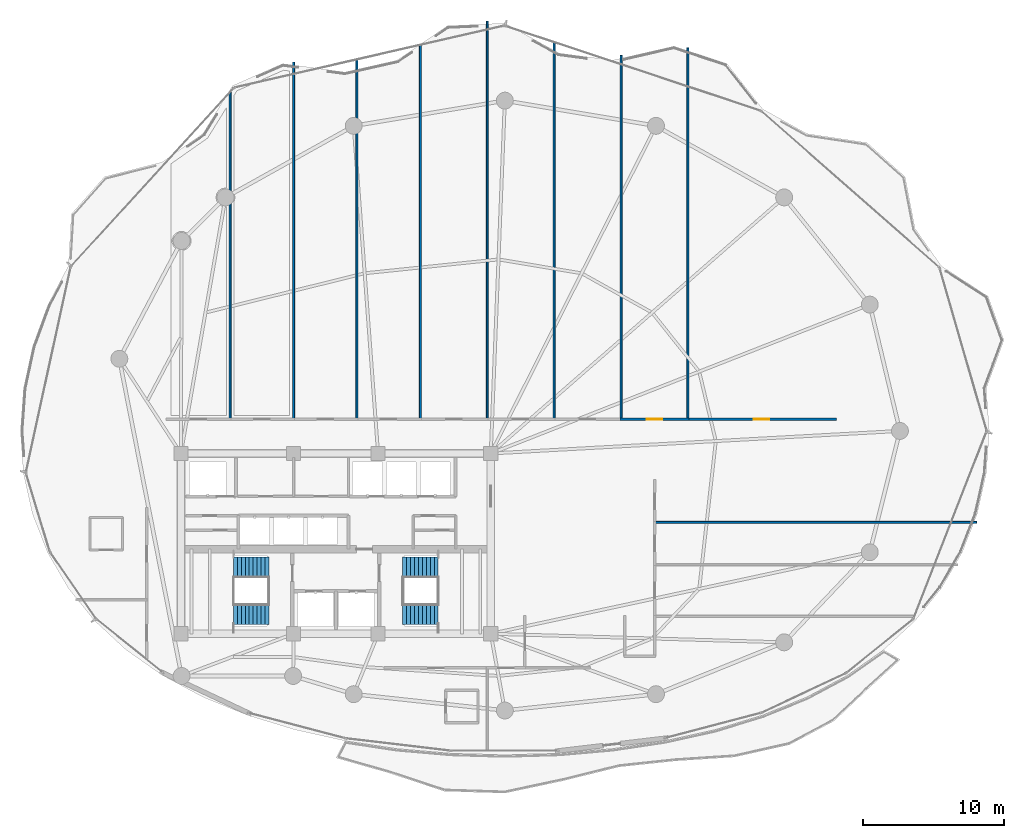
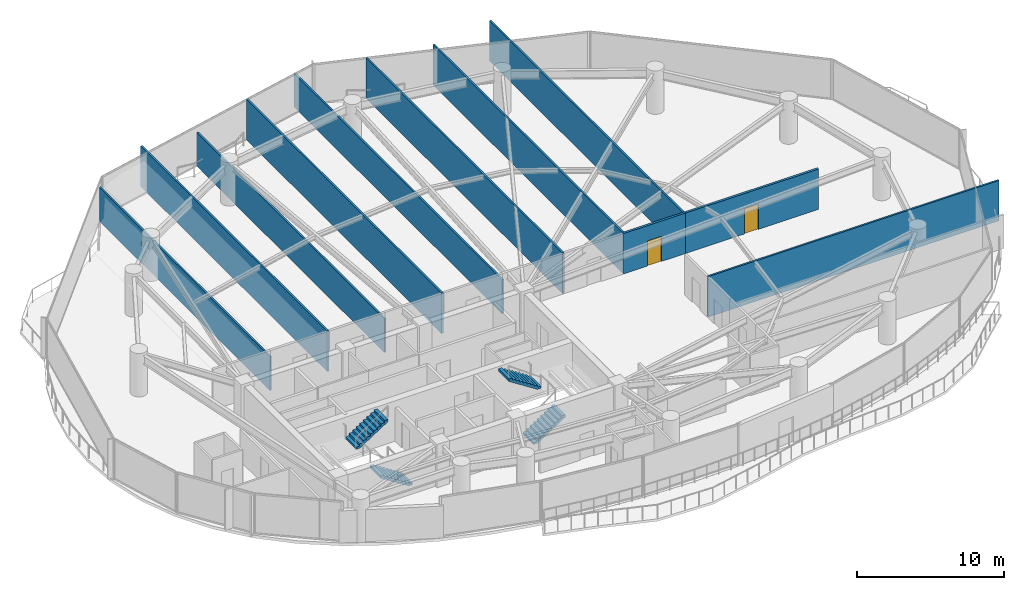
# One storey, part 28 of 34: 11 walls, 4 stair flights, 2 doors, 2 openings, 2 elements without a shape of their own.
"""IFC4 building model written with IfcOpenShell, lengths in metres."""

from ifc_helpers import new_model, si_unit, direction, frame, frame_2d, origin, place, context, subcontext, project, spatial, polyline, rectangle, outline, extrude, material, layer, layer_set, type_object, element, fill, aggregate, save


model = new_model("IFC4")

# Units and contexts
model_context = context("Model", 3, precision=1e-05, world=origin(), true_north=direction((0.0, 1.0)))
body_context = subcontext(model_context, "Body", "Model", "MODEL_VIEW")
ifc_project = project(units=[si_unit("LENGTHUNIT", "METRE"), si_unit("AREAUNIT", "SQUARE_METRE"), si_unit("VOLUMEUNIT", "CUBIC_METRE"), si_unit("PLANEANGLEUNIT", "RADIAN"), si_unit("MASSUNIT", "GRAM", prefix="KILO")], contexts=[model_context])

# Site, building, storey
site_placement = place(None, origin())
site = spatial("IfcSite", under=ifc_project, at=site_placement, CompositionType="ELEMENT")
building_placement = place(site_placement, origin())
building = spatial("IfcBuilding", under=site, at=building_placement, Name="Kazevale Care Tower and Concert Hall", CompositionType="ELEMENT")
storey_placement = place(building_placement, frame((0.0, 0.0, 174.60009765625)))
storey = spatial("IfcBuildingStorey", under=building, at=storey_placement, Name="L46", CompositionType="ELEMENT", Elevation=174.60009765625)

# Walls
ifc_material_1 = material(Name="Acoustic Gypsum on Steel Stud", Category="steel")
ifc_layer_1 = layer(ifc_material_1, 0.139892578125)
ifc_layer_set_1 = layer_set([ifc_layer_1], Name="Acoustic Gypsum on Steel Stud")
wall_type_1 = type_object("IfcWallType", Name="Acoustic Care & Suite Partition 140", PredefinedType="PARTITIONING", material=ifc_layer_set_1)
wall_1_placement = place(storey_placement, frame((25.5, 62.048828125, 0.0), z_axis=(0.0, 0.0, 1.0), x_axis=(0.0, -1.0, 0.0)))
element("IfcWall", 1, at=wall_1_placement, inside=storey, type_object=wall_type_1, Name="wall:L46:auto_021", PredefinedType="PARTITIONING", context=body_context, shape_type="SweptSolid", body=[
    extrude(rectangle(XDim=23.25390625, YDim=0.139892578125, at=frame_2d((11.626953125, 0.0))), origin(), (0.0, 0.0, 1.0), 2.805908203125),
])
wall_2_placement = place(storey_placement, frame((30.0, 64.177001953125, 0.0), z_axis=(0.0, 0.0, 1.0), x_axis=(0.0, -1.0, 0.0)))
element("IfcWall", 2, at=wall_2_placement, inside=storey, type_object=wall_type_1, Name="wall:L46:auto_022", PredefinedType="PARTITIONING", context=body_context, shape_type="SweptSolid", body=[
    extrude(rectangle(XDim=25.382080078125, YDim=0.139892578125, at=frame_2d((12.69091796875, 0.0))), origin(), (0.0, 0.0, 1.0), 3.35986328125),
])
wall_3_placement = place(storey_placement, frame((34.5, 64.359130859375, 0.0), z_axis=(0.0, 0.0, 1.0), x_axis=(0.0, -1.0, 0.0)))
element("IfcWall", 3, at=wall_3_placement, inside=storey, type_object=wall_type_1, Name="wall:L46:auto_023", PredefinedType="PARTITIONING", context=body_context, shape_type="SweptSolid", body=[
    extrude(rectangle(XDim=25.564208984375, YDim=0.139892578125, at=frame_2d((12.7822265625, 0.0))), origin(), (0.0, 0.0, 1.0), 2.805908203125),
])
wall_4_placement = place(storey_placement, frame((39.0, 65.391357421875, 0.0), z_axis=(0.0, 0.0, 1.0), x_axis=(0.0, -1.0, 0.0)))
element("IfcWall", 4, at=wall_4_placement, inside=storey, type_object=wall_type_1, Name="wall:L46:auto_024", PredefinedType="PARTITIONING", context=body_context, shape_type="SweptSolid", body=[
    extrude(rectangle(XDim=26.596435546875, YDim=0.139892578125, at=frame_2d((13.29833984375, 0.0))), origin(), (0.0, 0.0, 1.0), 3.35986328125),
])
wall_5_placement = place(storey_placement, frame((43.75, 67.093994140625, 0.0), z_axis=(0.0, 0.0, 1.0), x_axis=(0.0, -1.0, 0.0)))
element("IfcWall", 5, at=wall_5_placement, inside=storey, type_object=wall_type_1, Name="wall:L46:auto_025", PredefinedType="PARTITIONING", context=body_context, shape_type="SweptSolid", body=[
    extrude(rectangle(XDim=28.299072265625, YDim=0.139892578125, at=frame_2d((14.1494140625, 0.0))), origin(), (0.0, 0.0, 1.0), 2.805908203125),
])
wall_6_placement = place(storey_placement, frame((48.5, 65.5830078125, 0.0), z_axis=(0.0, 0.0, 1.0), x_axis=(0.0, -1.0, 0.0)))
element("IfcWall", 6, at=wall_6_placement, inside=storey, type_object=wall_type_1, Name="wall:L46:auto_026", PredefinedType="PARTITIONING", context=body_context, shape_type="SweptSolid", body=[
    extrude(rectangle(XDim=26.7880859375, YDim=0.139892578125, at=frame_2d((13.39404296875, 0.0))), origin(), (0.0, 0.0, 1.0), 3.35986328125),
])
wall_7_placement = place(storey_placement, frame((53.25, 64.656005859375, 0.0), z_axis=(0.0, 0.0, 1.0), x_axis=(0.0, -1.0, 0.0)))
element("IfcWall", 7, at=wall_7_placement, inside=storey, type_object=wall_type_1, Name="wall:L46:auto_027", PredefinedType="PARTITIONING", context=body_context, shape_type="SweptSolid", body=[
    extrude(rectangle(XDim=25.861083984375, YDim=0.139892578125, at=frame_2d((12.9306640625, 0.0))), origin(), (0.0, 0.0, 1.0), 3.35986328125),
])
wall_8_placement = place(storey_placement, frame((58.0, 65.18798828125, 0.0), z_axis=(0.0, 0.0, 1.0), x_axis=(0.0, -1.0, 0.0)))
element("IfcWall", 8, at=wall_8_placement, inside=storey, type_object=wall_type_1, Name="wall:L46:auto_028", PredefinedType="PARTITIONING", context=body_context, shape_type="SweptSolid", body=[
    extrude(rectangle(XDim=26.39306640625, YDim=0.139892578125, at=frame_2d((13.196533203125, 0.0))), origin(), (0.0, 0.0, 1.0), 3.35986328125),
])
wall_9_placement = place(storey_placement, frame((55.6201171875, 31.5, 0.0), z_axis=(0.0, 0.0, 1.0), x_axis=(1.0, 0.0, 0.0)))
element("IfcWall", 9, at=wall_9_placement, inside=storey, type_object=wall_type_1, Name="wall:L46:auto_032", PredefinedType="PARTITIONING", context=body_context, shape_type="SweptSolid", body=[
    extrude(rectangle(XDim=22.869873046875, YDim=0.139892578125, at=frame_2d((11.43505859375, 0.0))), origin(), (0.0, 0.0, 1.0), 3.35986328125),
])

# Wall, opening, door
ifc_material_2 = material(Name="Concrete C40 and Acoustic Gypsum", Category="concrete")
ifc_layer_2 = layer(ifc_material_2, 0.179931640625)
ifc_layer_set_2 = layer_set([ifc_layer_2], Name="Concrete C40 and Acoustic Gypsum")
wall_type_2 = type_object("IfcWallType", Name="Fire-Rated Corridor & Party Wall 180", PredefinedType="PARTITIONING", material=ifc_layer_set_2)
wall_10_placement = place(storey_placement, frame((53.18505859375, 38.824951171875, 0.0), z_axis=(0.0, 0.0, 1.0), x_axis=(1.0, 0.0, 0.0)))
wall_10 = element("IfcWall", 10, at=wall_10_placement, inside=storey, type_object=wall_type_2, Name="wall:L46:auto_008", PredefinedType="PARTITIONING", context=body_context, shape_type="SweptSolid", body=[
    extrude(rectangle(XDim=4.8798828125, YDim=0.179931640625, at=frame_2d((2.43994140625, 0.0))), origin(), (0.0, 0.0, 1.0), 3.35986328125),
])
opening_1_placement = place(wall_10_placement, frame((1.889892578125, 0.0, 0.0)))
opening_1 = element("IfcOpeningElement", 11, at=opening_1_placement, cuts=wall_10, Name="Opening ID-1100", PredefinedType="OPENING", context=body_context, shape_type="SweptSolid", body=[
    extrude(rectangle(XDim=1.10009765625, YDim=2.10009765625, at=frame_2d((0.550048828125, 1.050048828125))), frame((0.0, 0.099853515625, 0.0), z_axis=(0.0, -1.0, 0.0), x_axis=(1.0, 0.0, 0.0)), (0.0, 0.0, 1.0), 0.199951171875),
])
ifc_material_3 = material(Name="Oak Timber Fire Leaf", Category="wood")
door_type = type_object("IfcDoorType", Name="Care Bedroom Accessible Door 1100x2100", OperationType="NOTDEFINED", PredefinedType="DOOR", material=ifc_material_3)
door_1_placement = place(opening_1_placement, origin())
door_1 = element("IfcDoor", 12, at=door_1_placement, inside=storey, type_object=door_type, Name="door:L46:ad_008", OperationType="SINGLE_SWING_LEFT", OverallHeight=2.10009765625, OverallWidth=1.10009765625, PredefinedType="DOOR", context=body_context, shape_type="SweptSolid", body=[
    extrude(rectangle(XDim=1.10009765625, YDim=2.10009765625, at=frame_2d((0.550048828125, 1.050048828125))), frame((0.0, 0.02490234375, 0.0), z_axis=(0.0, -1.0, 0.0), x_axis=(1.0, 0.0, 0.0)), (0.0, 0.0, 1.0), 0.050048828125),
])
fill(opening_1, door_1)

wall_11_placement = place(storey_placement, frame((57.93505859375, 38.824951171875, 0.0), z_axis=(0.0, 0.0, 1.0), x_axis=(1.0, 0.0, 0.0)))
wall_11 = element("IfcWall", 13, at=wall_11_placement, inside=storey, type_object=wall_type_2, Name="wall:L46:auto_009", PredefinedType="PARTITIONING", context=body_context, shape_type="SweptSolid", body=[
    extrude(rectangle(XDim=10.594970703125, YDim=0.179931640625, at=frame_2d((5.29736328125, 0.0))), origin(), (0.0, 0.0, 1.0), 3.35986328125),
])
opening_2_placement = place(wall_11_placement, frame((4.748046875, 0.0, 0.0)))
opening_2 = element("IfcOpeningElement", 14, at=opening_2_placement, cuts=wall_11, Name="Opening ID-1100", PredefinedType="OPENING", context=body_context, shape_type="SweptSolid", body=[
    extrude(rectangle(XDim=1.10009765625, YDim=2.10009765625, at=frame_2d((0.550048828125, 1.050048828125))), frame((0.0, 0.099853515625, 0.0), z_axis=(0.0, -1.0, 0.0), x_axis=(1.0, 0.0, 0.0)), (0.0, 0.0, 1.0), 0.199951171875),
])
door_2_placement = place(opening_2_placement, origin())
door_2 = element("IfcDoor", 15, at=door_2_placement, inside=storey, type_object=door_type, Name="door:L46:ad_009", OperationType="SINGLE_SWING_LEFT", OverallHeight=2.10009765625, OverallWidth=1.10009765625, PredefinedType="DOOR", context=body_context, shape_type="SweptSolid", body=[
    extrude(rectangle(XDim=1.10009765625, YDim=2.10009765625, at=frame_2d((0.550048828125, 1.050048828125))), frame((0.0, 0.02490234375, 0.0), z_axis=(0.0, -1.0, 0.0), x_axis=(1.0, 0.0, 0.0)), (0.0, 0.0, 1.0), 0.050048828125),
])
fill(opening_2, door_2)

# Stair, stair flights
ifc_material_4 = material(Name="Concrete C40", Category="concrete")
stair_type = type_object("IfcStairType", Name="Exit Stair Assembly ST1-Z2", PredefinedType="HALF_TURN_STAIR", material=ifc_material_4)
stair_1_placement = place(storey_placement, origin())
stair_1 = element("IfcStair", 16, at=stair_1_placement, inside=storey, type_object=stair_type, Name="stair:L46:ST1", PredefinedType="HALF_TURN_STAIR")
ifc_layer_3 = layer(ifc_material_4, 0.159912109375)
ifc_layer_set_3 = layer_set([ifc_layer_3], Name="Concrete C40")
stair_flight_type = type_object("IfcStairFlightType", Name="Exit Stair Flight ST1-Z2", PredefinedType="STRAIGHT", material=ifc_layer_set_3)
stair_flight_1_placement = place(storey_placement, frame((28.25, 24.97998046875, 0.0), z_axis=(0.0, 0.0, 1.0), x_axis=(-1.0, 0.0, 0.0)))
stair_flight_1 = element("IfcStairFlight", 17, at=stair_flight_1_placement, type_object=stair_flight_type, Name="ST1-Z2 flight 1", NumberOfRisers=10, NumberOfTreads=9, PredefinedType="STRAIGHT", RiserHeight=0.18, TreadLength=0.28, context=body_context, shape_type="SweptSolid", body=[
    extrude(outline(polyline([(0.0, 0.0), (0.0, 0.179931640625), (0.280029296875, 0.179931640625), (0.280029296875, 0.360107421875), (0.56005859375, 0.360107421875), (0.56005859375, 0.5400390625), (0.840087890625, 0.5400390625), (0.840087890625, 0.719970703125), (1.1201171875, 0.719970703125), (1.1201171875, 0.89990234375), (1.39990234375, 0.89990234375), (1.39990234375, 1.080078125), (1.679931640625, 1.080078125), (1.679931640625, 1.260009765625), (1.9599609375, 1.260009765625), (1.9599609375, 1.43994140625), (2.239990234375, 1.43994140625), (2.239990234375, 1.6201171875), (2.52001953125, 1.6201171875), (2.52001953125, 1.800048828125), (2.52001953125, 1.429931640625), (0.295654296875, 0.0), (0.0, 0.0)])), frame((0.0, 0.72998046875, 0.0), z_axis=(0.0, -1.0, 0.0), x_axis=(1.0, 0.0, 0.0)), (0.0, 0.0, 1.0), 1.4599609375),
])
stair_flight_2_placement = place(storey_placement, frame((25.72998046875, 28.320068359375, 1.7998046875), z_axis=(0.0, 0.0, 1.0), x_axis=(1.0, 0.0, 0.0)))
stair_flight_2 = element("IfcStairFlight", 18, at=stair_flight_2_placement, type_object=stair_flight_type, Name="ST1-Z2 flight 2", NumberOfRisers=10, NumberOfTreads=9, PredefinedType="STRAIGHT", RiserHeight=0.18, TreadLength=0.28, context=body_context, shape_type="SweptSolid", body=[
    extrude(outline(polyline([(0.0, 0.0), (0.0, 0.179931640625), (0.280029296875, 0.179931640625), (0.280029296875, 0.360107421875), (0.56005859375, 0.360107421875), (0.56005859375, 0.5400390625), (0.840087890625, 0.5400390625), (0.840087890625, 0.719970703125), (1.1201171875, 0.719970703125), (1.1201171875, 0.89990234375), (1.39990234375, 0.89990234375), (1.39990234375, 1.080078125), (1.679931640625, 1.080078125), (1.679931640625, 1.260009765625), (1.9599609375, 1.260009765625), (1.9599609375, 1.43994140625), (2.239990234375, 1.43994140625), (2.239990234375, 1.6201171875), (2.52001953125, 1.6201171875), (2.52001953125, 1.800048828125), (2.52001953125, 1.429931640625), (0.295654296875, 0.0), (0.0, 0.0)])), frame((0.0, 0.72998046875, 0.0), z_axis=(0.0, -1.0, 0.0), x_axis=(1.0, 0.0, 0.0)), (0.0, 0.0, 1.0), 1.4599609375),
])
aggregate(stair_1, [stair_flight_1, stair_flight_2])

stair_2_placement = place(storey_placement, origin())
stair_2 = element("IfcStair", 19, at=stair_2_placement, inside=storey, type_object=stair_type, Name="stair:L46:ST2", PredefinedType="HALF_TURN_STAIR")
stair_flight_3_placement = place(storey_placement, frame((37.75, 24.97998046875, 0.0), z_axis=(0.0, 0.0, 1.0), x_axis=(1.0, 0.0, 0.0)))
stair_flight_3 = element("IfcStairFlight", 20, at=stair_flight_3_placement, type_object=stair_flight_type, Name="ST1-Z2 flight 1", NumberOfRisers=10, NumberOfTreads=9, PredefinedType="STRAIGHT", RiserHeight=0.18, TreadLength=0.28, context=body_context, shape_type="SweptSolid", body=[
    extrude(outline(polyline([(0.0, 0.0), (0.0, 0.179931640625), (0.280029296875, 0.179931640625), (0.280029296875, 0.360107421875), (0.56005859375, 0.360107421875), (0.56005859375, 0.5400390625), (0.840087890625, 0.5400390625), (0.840087890625, 0.719970703125), (1.1201171875, 0.719970703125), (1.1201171875, 0.89990234375), (1.39990234375, 0.89990234375), (1.39990234375, 1.080078125), (1.679931640625, 1.080078125), (1.679931640625, 1.260009765625), (1.9599609375, 1.260009765625), (1.9599609375, 1.43994140625), (2.239990234375, 1.43994140625), (2.239990234375, 1.6201171875), (2.52001953125, 1.6201171875), (2.52001953125, 1.800048828125), (2.52001953125, 1.429931640625), (0.295654296875, 0.0), (0.0, 0.0)])), frame((0.0, 0.72998046875, 0.0), z_axis=(0.0, -1.0, 0.0), x_axis=(1.0, 0.0, 0.0)), (0.0, 0.0, 1.0), 1.4599609375),
])
stair_flight_4_placement = place(storey_placement, frame((40.27001953125, 28.320068359375, 1.7998046875), z_axis=(0.0, 0.0, 1.0), x_axis=(-1.0, 0.0, 0.0)))
stair_flight_4 = element("IfcStairFlight", 21, at=stair_flight_4_placement, type_object=stair_flight_type, Name="ST1-Z2 flight 2", NumberOfRisers=10, NumberOfTreads=9, PredefinedType="STRAIGHT", RiserHeight=0.18, TreadLength=0.28, context=body_context, shape_type="SweptSolid", body=[
    extrude(outline(polyline([(0.0, 0.0), (0.0, 0.179931640625), (0.280029296875, 0.179931640625), (0.280029296875, 0.360107421875), (0.56005859375, 0.360107421875), (0.56005859375, 0.5400390625), (0.840087890625, 0.5400390625), (0.840087890625, 0.719970703125), (1.1201171875, 0.719970703125), (1.1201171875, 0.89990234375), (1.39990234375, 0.89990234375), (1.39990234375, 1.080078125), (1.679931640625, 1.080078125), (1.679931640625, 1.260009765625), (1.9599609375, 1.260009765625), (1.9599609375, 1.43994140625), (2.239990234375, 1.43994140625), (2.239990234375, 1.6201171875), (2.52001953125, 1.6201171875), (2.52001953125, 1.800048828125), (2.52001953125, 1.429931640625), (0.295654296875, 0.0), (0.0, 0.0)])), frame((0.0, 0.72998046875, 0.0), z_axis=(0.0, -1.0, 0.0), x_axis=(1.0, 0.0, 0.0)), (0.0, 0.0, 1.0), 1.4599609375),
])
aggregate(stair_2, [stair_flight_3, stair_flight_4])

save(model, "model.ifc")
